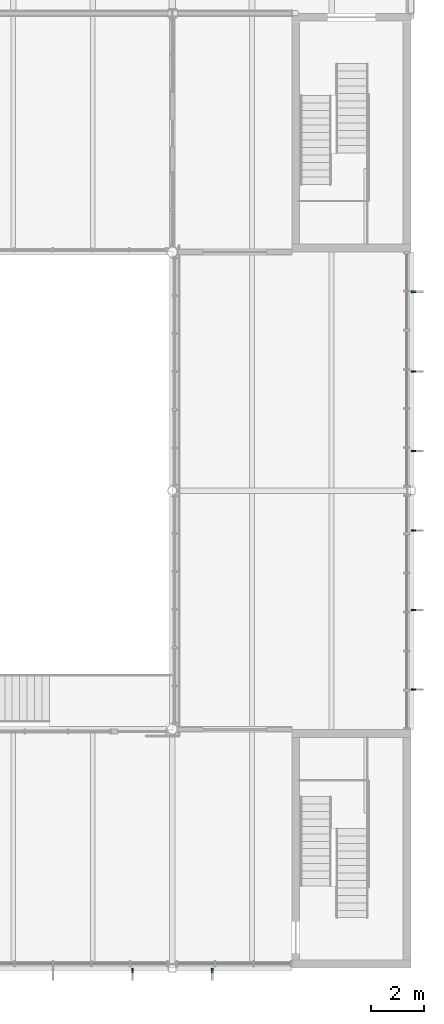
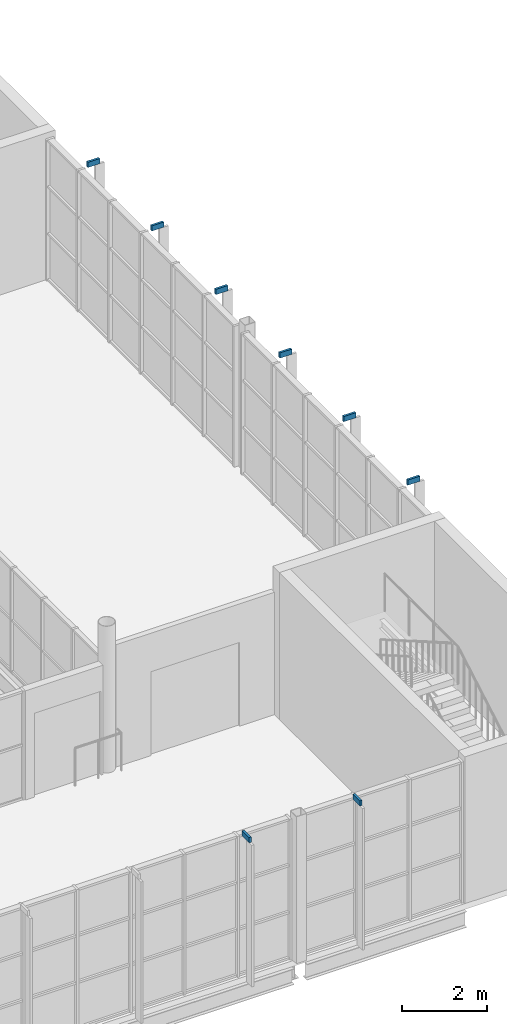
# One storey, part 43 of 57: 8 discrete accessories.
"""IFC4 building model written with IfcOpenShell, lengths in metres."""

from ifc_helpers import new_model, si_unit, direction, frame, origin, origin_2d, place, context, subcontext, project, spatial, rectangle, extrude, element, save


model = new_model("IFC4")

# Units and contexts
model_context = context("Model", 3, precision=1e-05, world=origin(), true_north=direction((0.0, 1.0)))
body_context = subcontext(model_context, "Body", "Model", "MODEL_VIEW")
ifc_project = project(units=[si_unit("LENGTHUNIT", "METRE"), si_unit("AREAUNIT", "SQUARE_METRE"), si_unit("VOLUMEUNIT", "CUBIC_METRE"), si_unit("PLANEANGLEUNIT", "RADIAN"), si_unit("MASSUNIT", "GRAM", prefix="KILO")], contexts=[model_context])

# Site, building, storey
site_placement = place(None, origin())
site = spatial("IfcSite", under=ifc_project, at=site_placement, CompositionType="ELEMENT")
building_placement = place(site_placement, origin())
building = spatial("IfcBuilding", under=site, at=building_placement, Name="Halyard Row Museum", CompositionType="ELEMENT")
storey_placement = place(building_placement, frame((0.0, 0.0, 5.0)))
storey = spatial("IfcBuildingStorey", under=building, at=storey_placement, Name="L01", CompositionType="ELEMENT", Elevation=5.0)

# Discrete accessories
for number, where, z_axis, x_axis, name in (
    (1, (108.16259765625, 10.5, 4.050048828125), (0.0, 0.0, 1.0), (1.0, 0.0, 0.0), "Fin bracket"),
    (2, (108.16259765625, 13.5, 4.050048828125), (0.0, 0.0, 1.0), (1.0, 0.0, 0.0), "Fin bracket"),
    (3, (108.16259765625, 16.5, 4.050048828125), (0.0, 0.0, 1.0), (1.0, 0.0, 0.0), "Fin bracket"),
    (4, (108.16259765625, 19.5, 4.050048828125), (0.0, 0.0, 1.0), (1.0, 0.0, 0.0), "Fin bracket"),
    (5, (108.16259765625, 22.5, 4.050048828125), (0.0, 0.0, 1.0), (1.0, 0.0, 0.0), "Fin bracket"),
    (6, (108.16259765625, 25.5, 4.050048828125), (0.0, 0.0, 1.0), (1.0, 0.0, 0.0), "Fin bracket"),
):
    element("IfcDiscreteAccessory", number, at=place(storey_placement, frame(where, z_axis=z_axis, x_axis=x_axis)), inside=storey, Name=name, PredefinedType="BRACKET", context=body_context, shape_type="SweptSolid", body=[
        extrude(rectangle(XDim=0.324951171875, YDim=0.06005859375, at=origin_2d()), origin(), (0.0, 0.0, 1.0), 0.14990234375),
    ])
for number, where, z_axis, x_axis, name in (
    (7, (97.5, -0.16259765625, 4.050048828125), (0.0, 0.0, 1.0), (1.0, 0.0, 0.0), "Fin bracket"),
    (8, (100.5, -0.16259765625, 4.050048828125), (0.0, 0.0, 1.0), (1.0, 0.0, 0.0), "Fin bracket"),
):
    element("IfcDiscreteAccessory", number, at=place(storey_placement, frame(where, z_axis=z_axis, x_axis=x_axis)), inside=storey, Name=name, PredefinedType="BRACKET", context=body_context, shape_type="SweptSolid", body=[
        extrude(rectangle(XDim=0.06005859375, YDim=0.324951171875, at=origin_2d()), origin(), (0.0, 0.0, 1.0), 0.14990234375),
    ])

save(model, "model.ifc")
